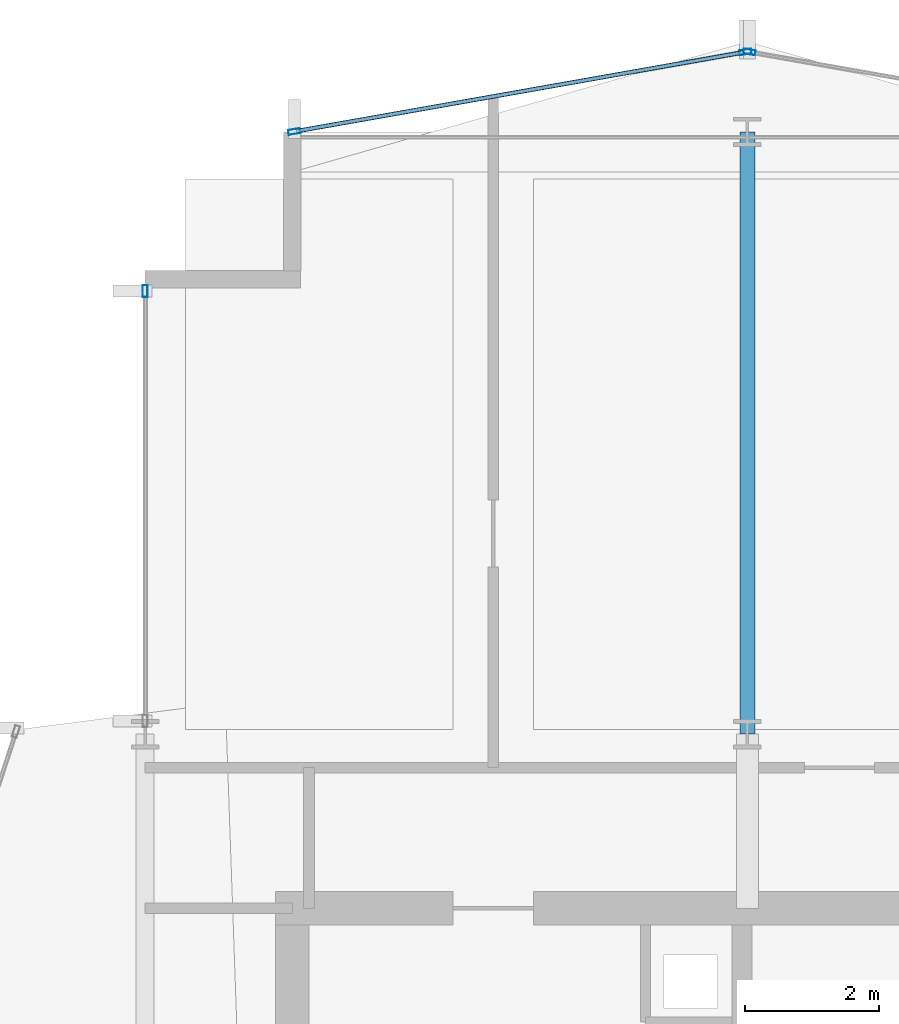
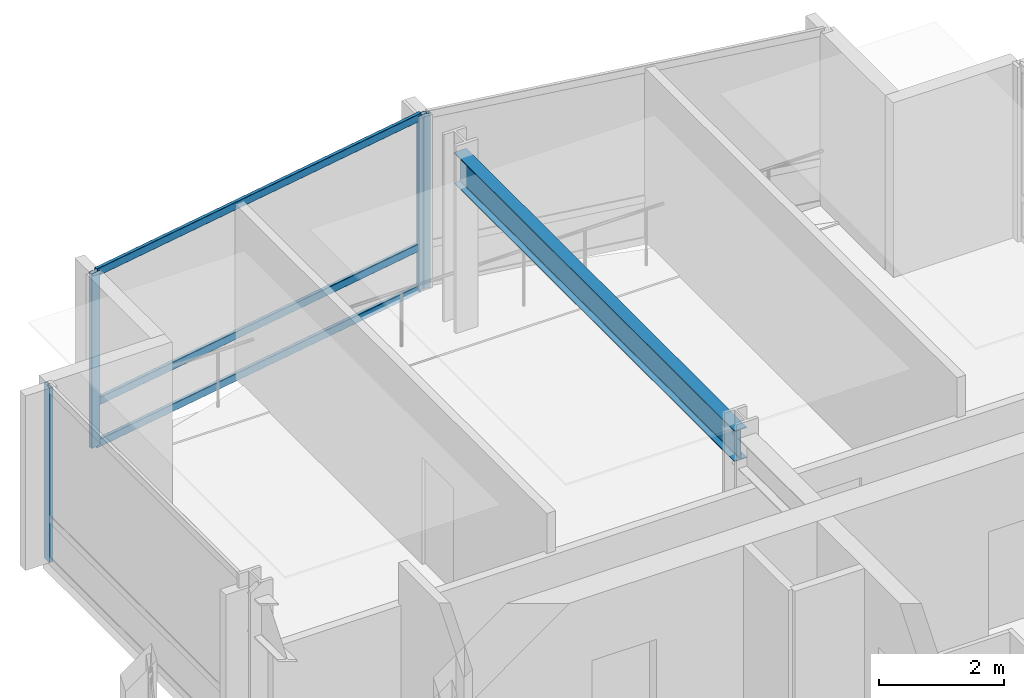
# One storey, part 19 of 28: 7 members, 1 beam, 3 elements without a shape of their own.
"""IFC4 building model written with IfcOpenShell, lengths in metres."""

import ifcopenshell
import ifcopenshell.guid

model = None  # the IFC model being written
_history = None  # IfcOwnerHistory: only IFC2X3 demands one
_inside = {}  # id of a spatial element -> (the spatial element, [elements in it])
_under = {}  # id of a project, library or spatial element -> (it, [spatial elements below it])
_declared = {}  # id of a project -> (the project, [libraries it declares])
_typed = {}  # id of a type object -> (the type object, [elements of that type])
_made_of = {}  # id of a material, layer set ... -> (it, [elements and type objects made of it])


def new_model(schema):
    """Start an empty IFC model of exactly this schema.

    Asked for "IFC4X3", IfcOpenShell would pick the latest addendum, in which some entities
    have other attributes; the version numbers below select the first issue.
    IFC2X3 requires an IfcOwnerHistory on every rooted entity: one is made here for all.
    """
    global model, _history
    if schema == "IFC4X3":
        model = ifcopenshell.file(schema_version=(4, 3, 0, 0))
    else:
        model = ifcopenshell.file(schema=schema)
    _inside.clear()
    _under.clear()
    _declared.clear()
    _typed.clear()
    _made_of.clear()
    _history = None
    if model.schema == "IFC2X3":
        org = make("IfcOrganization", Name="unknown")
        user = make(
            "IfcPersonAndOrganization",
            ThePerson=make("IfcPerson", FamilyName="unknown"),
            TheOrganization=org,
        )
        app = make(
            "IfcApplication",
            ApplicationDeveloper=org,
            Version="unknown",
            ApplicationFullName="unknown",
            ApplicationIdentifier="unknown",
        )
        _history = make(
            "IfcOwnerHistory",
            OwningUser=user,
            OwningApplication=app,
            ChangeAction="ADDED",
            CreationDate=0,
        )
    return model


def make(cls, **values):
    """One entity of the class cls with the attributes given. An attribute that is None is left unset."""
    return model.create_entity(
        cls, **{name: value for name, value in values.items() if value is not None}
    )


def rooted(cls, **values):
    """An entity with a GlobalId (a new one), such as an element, a storey or a relation."""
    return make(cls, GlobalId=ifcopenshell.guid.new(), OwnerHistory=_history, **values)


def si_unit(unit_type, name, prefix=None):
    """IfcSIUnit, for example si_unit("LENGTHUNIT", "METRE", prefix="MILLI")."""
    return make("IfcSIUnit", UnitType=unit_type, Prefix=prefix, Name=name)


def assignment(units):
    """IfcUnitAssignment: the units of a project."""
    return None if units is None else make("IfcUnitAssignment", Units=units)


def point(xyz):
    """IfcCartesianPoint."""
    return None if xyz is None else make("IfcCartesianPoint", Coordinates=xyz)


def direction(xyz):
    """IfcDirection."""
    return None if xyz is None else make("IfcDirection", DirectionRatios=xyz)


def frame(location, z_axis=None, x_axis=None):
    """IfcAxis2Placement3D, a coordinate frame: its origin and axes. An axis left out is left unset."""
    return make(
        "IfcAxis2Placement3D",
        Location=point(location),
        Axis=direction(z_axis),
        RefDirection=direction(x_axis),
    )


def frame_2d(location, x_axis=None):
    """IfcAxis2Placement2D, a coordinate frame in the plane: its origin and x axis."""
    return make(
        "IfcAxis2Placement2D", Location=point(location), RefDirection=direction(x_axis)
    )


def origin():
    """The frame at (0, 0, 0) with its axes left unset."""
    return frame((0.0, 0.0, 0.0))


def origin_2d():
    """The frame at (0, 0) in the plane with its x axis left unset."""
    return frame_2d((0.0, 0.0))


def place(relative_to, where):
    """IfcLocalPlacement: puts the frame where relative to a parent placement (None: the world)."""
    return make(
        "IfcLocalPlacement", PlacementRelTo=relative_to, RelativePlacement=where
    )


def context(
    kind, dimensions, precision=None, world=None, true_north=None, identifier=None
):
    """IfcGeometricRepresentationContext, for example the 3D "Model" context."""
    return make(
        "IfcGeometricRepresentationContext",
        ContextIdentifier=identifier,
        ContextType=kind,
        CoordinateSpaceDimension=dimensions,
        Precision=precision,
        WorldCoordinateSystem=world,
        TrueNorth=true_north,
    )


def subcontext(parent, identifier, kind, view, scale=None):
    """IfcGeometricRepresentationSubContext, for example "Body" below "Model"."""
    return make(
        "IfcGeometricRepresentationSubContext",
        ContextIdentifier=identifier,
        ContextType=kind,
        ParentContext=parent,
        TargetScale=scale,
        TargetView=view,
    )


def project(units=None, contexts=None):
    """IfcProject with its units and contexts."""
    return rooted(
        "IfcProject",
        Name="project",
        RepresentationContexts=contexts,
        UnitsInContext=assignment(units),
    )


def spatial(cls, under=None, at=None, **own):
    """A site, building, storey or space (cls), placed at a placement, below another one or the project."""
    s = rooted(cls, ObjectPlacement=at, **own)
    if under is not None:
        _under.setdefault(under.id(), (under, []))[1].append(s)
    return s


def profile(cls, at=None, kind="AREA", **sizes):
    """A parametric profile (cls). Its sizes go by their IFC names, for example OverallWidth=200.0."""
    return make(cls, ProfileType=kind, Position=at, **sizes)


def hollow_rectangle(**sizes):
    """IfcRectangleHollowProfileDef."""
    return profile("IfcRectangleHollowProfileDef", **sizes)


def i_section(**sizes):
    """IfcIShapeProfileDef."""
    return profile("IfcIShapeProfileDef", **sizes)


def extrude(swept, where, along, depth):
    """IfcExtrudedAreaSolid: the profile swept, set in the frame where, extruded along a direction by depth."""
    return make(
        "IfcExtrudedAreaSolid",
        SweptArea=swept,
        Position=where,
        ExtrudedDirection=direction(along),
        Depth=depth,
    )


def shape(context_of_items, identifier, shape_type, items):
    """IfcShapeRepresentation: the items that make up one representation, for example the "Body"."""
    return make(
        "IfcShapeRepresentation",
        ContextOfItems=context_of_items,
        RepresentationIdentifier=identifier,
        RepresentationType=shape_type,
        Items=items,
    )


def material(Name=None, Category=None):
    """IfcMaterial."""
    return make("IfcMaterial", Name=Name, Category=Category)


def layer(
    of_material, thickness, ventilated=None, Name=None, Category=None, Priority=None
):
    """IfcMaterialLayer: one layer of a wall or slab, of a material (None: an air gap)."""
    return make(
        "IfcMaterialLayer",
        Material=of_material,
        LayerThickness=thickness,
        IsVentilated=ventilated,
        Name=Name,
        Category=Category,
        Priority=Priority,
    )


def layer_set(layers, Name=None):
    """IfcMaterialLayerSet."""
    return make("IfcMaterialLayerSet", MaterialLayers=layers, LayerSetName=Name)


def material_profile(
    of_material, cross_section, Name=None, Category=None, Priority=None
):
    """IfcMaterialProfile: a cross section and its material."""
    return make(
        "IfcMaterialProfile",
        Name=Name,
        Material=of_material,
        Profile=cross_section,
        Priority=Priority,
        Category=Category,
    )


def profile_set(profiles, Name=None, composite=None):
    """IfcMaterialProfileSet."""
    return make(
        "IfcMaterialProfileSet",
        Name=Name,
        MaterialProfiles=profiles,
        CompositeProfile=composite,
    )


def made_of(thing, what):
    """Note that an element or type object is made of a material, layer set ...; save() writes the relation."""
    if what is not None:
        _made_of.setdefault(what.id(), (what, []))[1].append(thing)
    return thing


def type_object(cls, material=None, **own):
    """A type object (cls), such as IfcWallType, which elements share."""
    return made_of(rooted(cls, **own), material)


def element(
    cls,
    number,
    at=None,
    inside=None,
    cuts=None,
    type_object=None,
    material=None,
    context=None,
    identifier="Body",
    shape_type=None,
    held_by="IfcProductDefinitionShape",
    body=None,
    shapes=None,
    **own,
):
    """One element of the class cls, such as IfcWall. Its Tag is "e" and its number.

    at: its placement. inside: the storey or other place that contains it. cuts: it is an
    opening in that element (IfcRelVoidsElement). A single representation is given by context,
    identifier, shape_type and body (its items); several are given by shapes. held_by: the class
    of the entity that holds the representations. save() writes the other relations.
    """
    e = rooted(cls, Tag="e%d" % number, ObjectPlacement=at, **own)
    if body is not None:
        shapes = [shape(context, identifier, shape_type, body)]
    if shapes is not None:
        e.Representation = make(held_by, Representations=shapes)
    if inside is not None:
        _inside.setdefault(inside.id(), (inside, []))[1].append(e)
    if cuts is not None:
        rooted(
            "IfcRelVoidsElement", RelatingBuildingElement=cuts, RelatedOpeningElement=e
        )
    if type_object is not None:
        _typed.setdefault(type_object.id(), (type_object, []))[1].append(e)
    return made_of(e, material)


def aggregate(whole, parts):
    """IfcRelAggregates: a whole, such as a stair, and the parts it consists of."""
    return rooted("IfcRelAggregates", RelatingObject=whole, RelatedObjects=parts)


def save(model, path):
    """Write the relations noted so far, then the file.

    IfcRelAggregates (storeys below a building ...), IfcRelContainedInSpatialStructure (elements
    in a storey), IfcRelDefinesByType, IfcRelAssociatesMaterial and IfcRelDeclares: one each for
    every whole, place, type object, material and project.
    """
    for whole, parts in _under.values():
        aggregate(whole, parts)
    for where, things in _inside.values():
        rooted(
            "IfcRelContainedInSpatialStructure",
            RelatedElements=things,
            RelatingStructure=where,
        )
    for kind, things in _typed.values():
        rooted("IfcRelDefinesByType", RelatedObjects=things, RelatingType=kind)
    for what, things in _made_of.values():
        rooted("IfcRelAssociatesMaterial", RelatedObjects=things, RelatingMaterial=what)
    for by, libraries in _declared.values():
        rooted("IfcRelDeclares", RelatingContext=by, RelatedDefinitions=libraries)
    model.write(path)


model = new_model("IFC4")

# Units and contexts
model_context = context("Model", 3, precision=1e-05, world=origin(), true_north=direction((0.0, 1.0)))
body_context = subcontext(model_context, "Body", "Model", "MODEL_VIEW")
ifc_project = project(units=[si_unit("LENGTHUNIT", "METRE"), si_unit("AREAUNIT", "SQUARE_METRE"), si_unit("VOLUMEUNIT", "CUBIC_METRE"), si_unit("PLANEANGLEUNIT", "RADIAN"), si_unit("MASSUNIT", "GRAM", prefix="KILO")], contexts=[model_context])

# Site, building, storey
site_placement = place(None, origin())
site = spatial("IfcSite", under=ifc_project, at=site_placement, CompositionType="ELEMENT")
building_placement = place(site_placement, origin())
building = spatial("IfcBuilding", under=site, at=building_placement, Name="Solvaryn Broadcast Tower", CompositionType="ELEMENT")
storey_placement = place(building_placement, frame((0.0, 0.0, 154.39990234375)))
storey = spatial("IfcBuildingStorey", under=building, at=storey_placement, Name="L38", CompositionType="ELEMENT", Elevation=154.39990234375)

# Beam
ifc_material_1 = material(Name="Steel ASTM A992 Grade 50", Category="steel")
ifc_material_profile_1 = material_profile(ifc_material_1, i_section(OverallWidth=0.22802734375, OverallDepth=0.60791015625, WebThickness=0.01123046875, FlangeThickness=0.017333984375, FilletRadius=0.014892578125, at=origin_2d()))
ifc_profile_set_1 = profile_set([ifc_material_profile_1], Name="Steel ASTM A992 Grade 50")
beam_type = type_object("IfcBeamType", Name="BM-B2-W24X76", PredefinedType="BEAM", material=ifc_profile_set_1)
beam_placement = place(storey_placement, frame((18.0, 45.0, 3.1162109375), z_axis=(0.0, 1.0, 0.0), x_axis=(-1.0, 0.0, 0.0)))
element("IfcBeam", 1, at=beam_placement, inside=storey, type_object=beam_type, Name="L38 Primary Beam Y (45-54 @ X=18)", PredefinedType="BEAM", context=body_context, shape_type="SweptSolid", body=[
    extrude(i_section(OverallWidth=0.22802734375, OverallDepth=0.60791015625, WebThickness=0.01123046875, FlangeThickness=0.017333984375, FilletRadius=0.014892578125, at=origin_2d()), origin(), (0.0, 0.0, 1.0), 9.0),
])

# Curtain wall, member
ifc_material_2 = material(Name="Aluminium and Terracotta Unitised Curtain Wall", Category="masonry")
ifc_layer = layer(ifc_material_2, 0.199951171875)
ifc_layer_set = layer_set([ifc_layer], Name="CW-SYS2-LOWMID")
curtain_wall_type = type_object("IfcCurtainWallType", Name="CW-SYS2-LOWMID", PredefinedType="NOTDEFINED", material=ifc_layer_set)
curtain_wall_1_placement = place(storey_placement, origin())
curtain_wall_1 = element("IfcCurtainWall", 2, at=curtain_wall_1_placement, inside=storey, type_object=curtain_wall_type, Name="L38 Curtain Wall W2", PredefinedType="NOTDEFINED")
ifc_material_3 = material(Name="Anodised Aluminium 6063-T6", Category="aluminium")
ifc_material_profile_2 = material_profile(ifc_material_3, hollow_rectangle(XDim=0.074951171875, YDim=0.179931640625, WallThickness=0.00390625, InnerFilletRadius=0.00390625, OuterFilletRadius=0.008056640625, at=origin_2d()))
ifc_profile_set_2 = profile_set([ifc_material_profile_2], Name="Anodised Aluminium 6063-T6")
member_type_1 = type_object("IfcMemberType", Name="CW-MUL-180", PredefinedType="MULLION", material=ifc_profile_set_2)
member_1_placement = place(storey_placement, frame((9.0, 51.6201171875, 0.0), z_axis=(0.0, 0.0, 1.0), x_axis=(-1.0, 0.0, 0.0)))
member_1 = element("IfcMember", 3, at=member_1_placement, type_object=member_type_1, Name="CWS2 mullion 2", PredefinedType="MULLION", context=body_context, shape_type="SweptSolid", body=[
    extrude(hollow_rectangle(XDim=0.074951171875, YDim=0.179931640625, WallThickness=0.00390625, InnerFilletRadius=0.00390625, OuterFilletRadius=0.008056640625, at=origin_2d()), origin(), (0.0, 0.0, 1.0), 3.420166015625),
])
aggregate(curtain_wall_1, [member_1])

curtain_wall_2_placement = place(storey_placement, origin())
curtain_wall_2 = element("IfcCurtainWall", 4, at=curtain_wall_2_placement, inside=storey, type_object=curtain_wall_type, Name="L38 Curtain Wall NT1", PredefinedType="NOTDEFINED")
member_2_placement = place(storey_placement, frame((18.029541015625, 55.19482421875, 0.0), z_axis=(0.0, 0.0, 1.0), x_axis=(-0.173785333901, -0.984783558819, 0.0)))
member_2 = element("IfcMember", 5, at=member_2_placement, type_object=member_type_1, Name="CWS2 mullion 2", PredefinedType="MULLION", context=body_context, shape_type="SweptSolid", body=[
    extrude(hollow_rectangle(XDim=0.074951171875, YDim=0.179931640625, WallThickness=0.00390625, InnerFilletRadius=0.00390625, OuterFilletRadius=0.008056640625, at=origin_2d()), origin(), (0.0, 0.0, 1.0), 3.420166015625),
])
aggregate(curtain_wall_2, [member_2])

# Curtain wall, members
curtain_wall_3_placement = place(storey_placement, origin())
curtain_wall_3 = element("IfcCurtainWall", 6, at=curtain_wall_3_placement, inside=storey, type_object=curtain_wall_type, Name="L38 Curtain Wall NT2", PredefinedType="NOTDEFINED")
member_3_placement = place(storey_placement, frame((17.970458984375, 55.19482421875, 0.0), z_axis=(0.0, 0.0, 1.0), x_axis=(0.173785333901, -0.984783558819, 0.0)))
member_3 = element("IfcMember", 7, at=member_3_placement, type_object=member_type_1, Name="CWS2 mullion 1", PredefinedType="MULLION", context=body_context, shape_type="SweptSolid", body=[
    extrude(hollow_rectangle(XDim=0.074951171875, YDim=0.179931640625, WallThickness=0.00390625, InnerFilletRadius=0.00390625, OuterFilletRadius=0.008056640625, at=origin_2d()), origin(), (0.0, 0.0, 1.0), 3.420166015625),
])
member_4_placement = place(storey_placement, frame((11.2294921875, 54.005126953125, 0.0), z_axis=(0.0, 0.0, 1.0), x_axis=(0.173785333901, -0.984783558819, 0.0)))
member_4 = element("IfcMember", 8, at=member_4_placement, type_object=member_type_1, Name="CWS2 mullion 2", PredefinedType="MULLION", context=body_context, shape_type="SweptSolid", body=[
    extrude(hollow_rectangle(XDim=0.074951171875, YDim=0.179931640625, WallThickness=0.00390625, InnerFilletRadius=0.00390625, OuterFilletRadius=0.008056640625, at=origin_2d()), origin(), (0.0, 0.0, 1.0), 3.420166015625),
])
ifc_material_4 = material(Name="Anodised Aluminium 6063-T6", Category="aluminium")
ifc_material_profile_3 = material_profile(ifc_material_4, hollow_rectangle(XDim=0.06494140625, YDim=0.14990234375, WallThickness=0.00390625, InnerFilletRadius=0.00390625, OuterFilletRadius=0.008056640625, at=origin_2d()))
ifc_profile_set_3 = profile_set([ifc_material_profile_3], Name="Anodised Aluminium 6063-T6")
member_type_2 = type_object("IfcMemberType", Name="CW-TRN-150", PredefinedType="USERDEFINED", material=ifc_profile_set_3)
member_5_placement = place(storey_placement, frame((17.94091796875, 55.189453125, 0.030029296875), z_axis=(-0.984788629673, -0.173756596613, 0.0), x_axis=(0.173756596613, -0.984788629673, 0.0)))
member_5 = element("IfcMember", 9, at=member_5_placement, type_object=member_type_2, Name="CWS2 transom 1.1", ObjectType="TRANSOM", PredefinedType="USERDEFINED", context=body_context, shape_type="SweptSolid", body=[
    extrude(hollow_rectangle(XDim=0.06494140625, YDim=0.14990234375, WallThickness=0.00390625, InnerFilletRadius=0.00390625, OuterFilletRadius=0.008056640625, at=origin_2d()), origin(), (0.0, 0.0, 1.0), 6.78515625),
])
member_6_placement = place(storey_placement, frame((17.94091796875, 55.189453125, 0.85009765625), z_axis=(-0.984788629673, -0.173756596613, 0.0), x_axis=(0.173756596613, -0.984788629673, 0.0)))
member_6 = element("IfcMember", 10, at=member_6_placement, type_object=member_type_2, Name="CWS2 transom 1.2", ObjectType="TRANSOM", PredefinedType="USERDEFINED", context=body_context, shape_type="SweptSolid", body=[
    extrude(hollow_rectangle(XDim=0.06494140625, YDim=0.14990234375, WallThickness=0.00390625, InnerFilletRadius=0.00390625, OuterFilletRadius=0.008056640625, at=origin_2d()), origin(), (0.0, 0.0, 1.0), 6.78515625),
])
member_7_placement = place(storey_placement, frame((17.94091796875, 55.189453125, 3.39013671875), z_axis=(-0.984788629673, -0.173756596613, 0.0), x_axis=(0.173756596613, -0.984788629673, 0.0)))
member_7 = element("IfcMember", 11, at=member_7_placement, type_object=member_type_2, Name="CWS2 transom 1.3", ObjectType="TRANSOM", PredefinedType="USERDEFINED", context=body_context, shape_type="SweptSolid", body=[
    extrude(hollow_rectangle(XDim=0.06494140625, YDim=0.14990234375, WallThickness=0.00390625, InnerFilletRadius=0.00390625, OuterFilletRadius=0.008056640625, at=origin_2d()), origin(), (0.0, 0.0, 1.0), 6.78515625),
])
aggregate(curtain_wall_3, [member_3, member_4, member_5, member_6, member_7])

save(model, "model.ifc")
